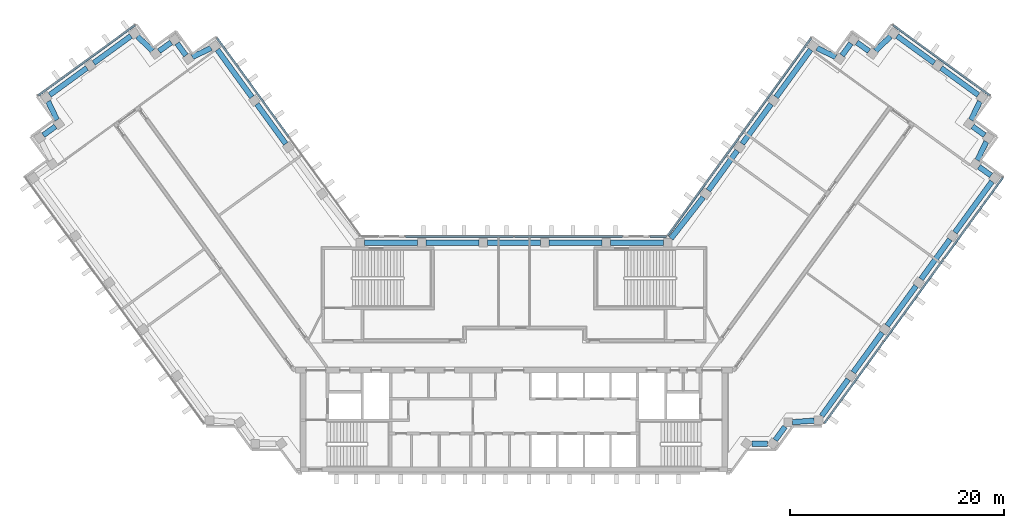
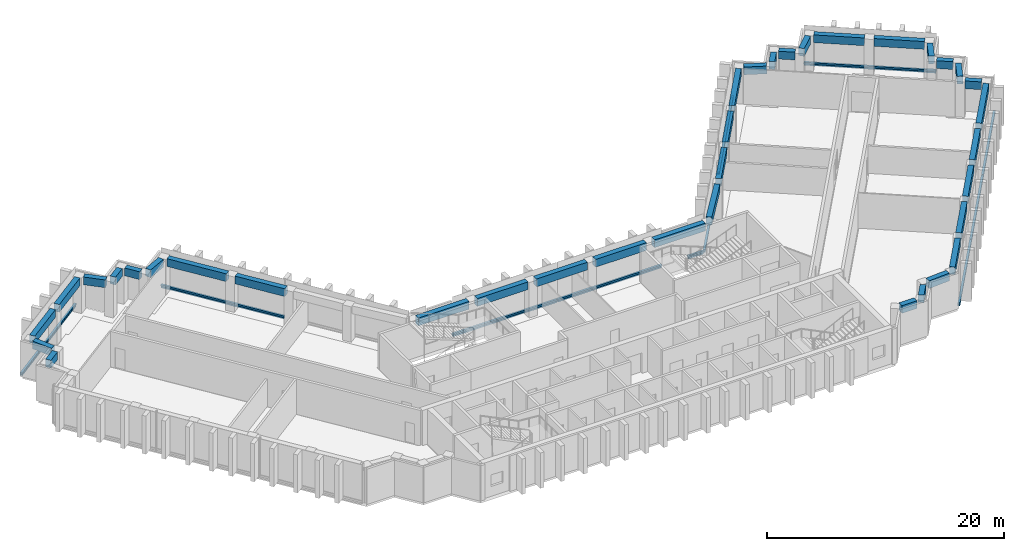
"""IFC4 building model written with IfcOpenShell, lengths in metres."""

from ifc_helpers import new_model, si_unit, direction, frame, origin, origin_2d, place, context, subcontext, project, spatial, rectangle, extrude, material, material_profile, profile_set, type_object, element, aggregate, save


model = new_model("IFC4")

# Units and contexts
model_context = context("Model", 3, precision=1e-05, world=origin(), true_north=direction((0.0, 1.0)))
body_context = subcontext(model_context, "Body", "Model", "MODEL_VIEW")
ifc_project = project(units=[si_unit("LENGTHUNIT", "METRE"), si_unit("AREAUNIT", "SQUARE_METRE"), si_unit("VOLUMEUNIT", "CUBIC_METRE"), si_unit("PLANEANGLEUNIT", "RADIAN"), si_unit("MASSUNIT", "GRAM", prefix="KILO")], contexts=[model_context])

# Site, building, storey
site_placement = place(None, origin())
site = spatial("IfcSite", under=ifc_project, at=site_placement, CompositionType="ELEMENT")
building_placement = place(site_placement, origin())
building = spatial("IfcBuilding", under=site, at=building_placement, Name="Quipu Civic Tower", CompositionType="ELEMENT")
storey_1_placement = place(building_placement, frame((0.0, 0.0, 144.0)))
storey_1 = spatial("IfcBuildingStorey", under=building, at=storey_1_placement, Name="L33", CompositionType="ELEMENT", Elevation=144.0)

# Beams
ifc_material_1 = material(Name="Concrete C50/60", Category="concrete")
ifc_material_profile_1 = material_profile(ifc_material_1, rectangle(XDim=0.5, YDim=0.800048828125, at=origin_2d()), Name="RC500x800")
ifc_profile_set_1 = profile_set([ifc_material_profile_1], Name="Concrete C50/60")
beam_type = type_object("IfcBeamType", Name="Spandrel beam RC 500x800 C50/60", PredefinedType="SPANDREL", material=ifc_profile_set_1)
beam_1_placement = place(storey_1_placement, frame((-21.382568359375, 19.767333984375, 3.25), z_axis=(-0.587736122681, 0.809052686848, 0.0), x_axis=(-0.809052686848, -0.587736122681, 0.0)))
element("IfcBeam", 1, at=beam_1_placement, inside=storey_1, type_object=beam_type, Name="Spandrel beam L33 W-IN-02 to W-IN-03", PredefinedType="SPANDREL", context=body_context, shape_type="SweptSolid", body=[
    extrude(rectangle(XDim=0.5, YDim=0.800048828125, at=origin_2d()), origin(), (0.0, 0.0, 1.0), 4.60009765625),
])
beam_2_placement = place(storey_1_placement, frame((-24.556396484375, 24.13623046875, 3.25), z_axis=(-0.587664254196, 0.809104890815, 0.0), x_axis=(-0.809104890815, -0.587664254196, 0.0)))
element("IfcBeam", 2, at=beam_2_placement, inside=storey_1, type_object=beam_type, Name="Spandrel beam L33 W-IN-03 to T-Wi.0-W34", PredefinedType="SPANDREL", context=body_context, shape_type="SweptSolid", body=[
    extrude(rectangle(XDim=0.5, YDim=0.800048828125, at=origin_2d()), origin(), (0.0, 0.0, 1.0), 5.493896484375),
])
beam_3_placement = place(storey_1_placement, frame((-28.38720703125, 28.72998046875, 3.25), z_axis=(-0.902584802379, -0.430512107279, 0.0), x_axis=(0.430512107279, -0.902584802379, 0.0)))
element("IfcBeam", 3, at=beam_3_placement, inside=storey_1, type_object=beam_type, Name="Spandrel beam L33 T-Wi.0-W34 to T-Wi.1-W34", PredefinedType="SPANDREL", context=body_context, shape_type="SweptSolid", body=[
    extrude(rectangle(XDim=0.5, YDim=0.800048828125, at=origin_2d()), origin(), (0.0, 0.0, 1.0), 1.9326171875),
])
beam_4_placement = place(storey_1_placement, frame((-30.734375, 28.0458984375, 3.25), z_axis=(-0.589342949835, 0.80788296645, 0.0), x_axis=(-0.80788296645, -0.589342949835, 0.0)))
element("IfcBeam", 4, at=beam_4_placement, inside=storey_1, type_object=beam_type, Name="Spandrel beam L33 T-Wi.1-W34 to T-Wi.2-W34", PredefinedType="SPANDREL", context=body_context, shape_type="SweptSolid", body=[
    extrude(rectangle(XDim=0.5, YDim=0.800048828125, at=origin_2d()), origin(), (0.0, 0.0, 1.0), 1.39990234375),
])
beam_5_placement = place(storey_1_placement, frame((-32.118896484375, 29.26513671875, 3.25), z_axis=(-0.80941533633, -0.587236590578, 0.0), x_axis=(0.587236590578, -0.80941533633, 0.0)))
element("IfcBeam", 5, at=beam_5_placement, inside=storey_1, type_object=beam_type, Name="Spandrel beam L33 T-Wi.2-W34 to T-Wi.3-W34", PredefinedType="SPANDREL", context=body_context, shape_type="SweptSolid", body=[
    extrude(rectangle(XDim=0.5, YDim=0.800048828125, at=origin_2d()), origin(), (0.0, 0.0, 1.0), 1.397705078125),
])
beam_6_placement = place(storey_1_placement, frame((-33.868896484375, 28.489501953125, 3.25), z_axis=(-0.72519185421, 0.68854685722, 0.0), x_axis=(-0.68854685722, -0.72519185421, 0.0)))
element("IfcBeam", 6, at=beam_6_placement, inside=storey_1, type_object=beam_type, Name="Spandrel beam L33 T-Wi.3-W34 to T-Wi.4-W34", PredefinedType="SPANDREL", context=body_context, shape_type="SweptSolid", body=[
    extrude(rectangle(XDim=0.5, YDim=0.800048828125, at=origin_2d()), origin(), (0.0, 0.0, 1.0), 1.93212890625),
])
beam_7_placement = place(storey_1_placement, frame((-35.888671875, 29.86474609375, 3.25), z_axis=(-0.808983997561, -0.58783066583, 0.0), x_axis=(0.58783066583, -0.808983997561, 0.0)))
element("IfcBeam", 7, at=beam_7_placement, inside=storey_1, type_object=beam_type, Name="Spandrel beam L33 T-Wi.4-W34 to TIP-W-01-W34", PredefinedType="SPANDREL", context=body_context, shape_type="SweptSolid", body=[
    extrude(rectangle(XDim=0.5, YDim=0.800048828125, at=origin_2d()), origin(), (0.0, 0.0, 1.0), 4.2998046875),
])
beam_8_placement = place(storey_1_placement, frame((-40.014404296875, 26.866943359375, 3.25), z_axis=(-0.808947267178, -0.587881211578, 0.0), x_axis=(0.587881211578, -0.808947267178, 0.0)))
element("IfcBeam", 8, at=beam_8_placement, inside=storey_1, type_object=beam_type, Name="Spandrel beam L33 TIP-W-01-W34 to T-Wo.0-W34", PredefinedType="SPANDREL", context=body_context, shape_type="SweptSolid", body=[
    extrude(rectangle(XDim=0.5, YDim=0.800048828125, at=origin_2d()), origin(), (0.0, 0.0, 1.0), 4.29833984375),
])
beam_9_placement = place(storey_1_placement, frame((-43.64013671875, 23.737548828125, 3.25), z_axis=(0.429889421342, -0.902881545618, 0.0), x_axis=(0.902881545618, 0.429889421342, 0.0)))
element("IfcBeam", 9, at=beam_9_placement, inside=storey_1, type_object=beam_type, Name="Spandrel beam L33 T-Wo.0-W34 to T-Wo.1-W34", PredefinedType="SPANDREL", context=body_context, shape_type="SweptSolid", body=[
    extrude(rectangle(XDim=0.5, YDim=0.800048828125, at=origin_2d()), origin(), (0.0, 0.0, 1.0), 1.931396484375),
])
beam_10_placement = place(storey_1_placement, frame((-42.958740234375, 21.391357421875, 3.25), z_axis=(-0.809467380413, -0.587164849125, 0.0), x_axis=(0.587164849125, -0.809467380413, 0.0)))
element("IfcBeam", 10, at=beam_10_placement, inside=storey_1, type_object=beam_type, Name="Spandrel beam L33 T-Wo.1-W34 to T-Wo.2-W34", PredefinedType="SPANDREL", context=body_context, shape_type="SweptSolid", body=[
    extrude(rectangle(XDim=0.5, YDim=0.800048828125, at=origin_2d()), origin(), (0.0, 0.0, 1.0), 1.399169921875),
])
beam_11_placement = place(storey_1_placement, frame((22.2861328125, -8.31494140625, 3.25), z_axis=(1.0, 0.0, 0.0), x_axis=(0.0, 1.0, 0.0)))
element("IfcBeam", 11, at=beam_11_placement, inside=storey_1, type_object=beam_type, Name="Spandrel beam L33 J-Eo.1 to J-Eo.2", PredefinedType="SPANDREL", context=body_context, shape_type="SweptSolid", body=[
    extrude(rectangle(XDim=0.5, YDim=0.800048828125, at=origin_2d()), origin(), (0.0, 0.0, 1.0), 1.454345703125),
])
beam_12_placement = place(storey_1_placement, frame((24.470458984375, -7.991455078125, 3.25), z_axis=(0.588405601119, 0.808565920981, 0.0), x_axis=(-0.808565920981, 0.588405601119, 0.0)))
element("IfcBeam", 12, at=beam_12_placement, inside=storey_1, type_object=beam_type, Name="Spandrel beam L33 J-Eo.2 to J-Eo.3", PredefinedType="SPANDREL", context=body_context, shape_type="SweptSolid", body=[
    extrude(rectangle(XDim=0.5, YDim=0.800048828125, at=origin_2d()), origin(), (0.0, 0.0, 1.0), 1.55126953125),
])
beam_13_placement = place(storey_1_placement, frame((26.074462890625, -6.307861328125, 3.25), z_axis=(0.997372997143, 0.072436900614, 0.0), x_axis=(-0.072436900614, 0.997372997143, 0.0)))
element("IfcBeam", 13, at=beam_13_placement, inside=storey_1, type_object=beam_type, Name="Spandrel beam L33 J-Eo.3 to J-Eo.4", PredefinedType="SPANDREL", context=body_context, shape_type="SweptSolid", body=[
    extrude(rectangle(XDim=0.5, YDim=0.800048828125, at=origin_2d()), origin(), (0.0, 0.0, 1.0), 2.055908203125),
])
beam_14_placement = place(storey_1_placement, frame((28.815673828125, -5.72998046875, 3.25), z_axis=(0.58776850526, 0.809029161541, 0.0), x_axis=(-0.809029161541, 0.58776850526, 0.0)))
element("IfcBeam", 14, at=beam_14_placement, inside=storey_1, type_object=beam_type, Name="Spandrel beam L33 J-Eo.4 to E-OUT-01", PredefinedType="SPANDREL", context=body_context, shape_type="SweptSolid", body=[
    extrude(rectangle(XDim=0.5, YDim=0.800048828125, at=origin_2d()), origin(), (0.0, 0.0, 1.0), 4.249267578125),
])
beam_15_placement = place(storey_1_placement, frame((31.783447265625, -1.64501953125, 3.25), z_axis=(0.587796098864, 0.809009113768, 0.0), x_axis=(-0.809009113768, 0.587796098864, 0.0)))
element("IfcBeam", 15, at=beam_15_placement, inside=storey_1, type_object=beam_type, Name="Spandrel beam L33 E-OUT-01 to E-OUT-02", PredefinedType="SPANDREL", context=body_context, shape_type="SweptSolid", body=[
    extrude(rectangle(XDim=0.5, YDim=0.800048828125, at=origin_2d()), origin(), (0.0, 0.0, 1.0), 4.60009765625),
])
beam_16_placement = place(storey_1_placement, frame((34.95751953125, 2.7236328125, 3.25), z_axis=(0.58776136044, 0.809034352283, 0.0), x_axis=(-0.809034352283, 0.58776136044, 0.0)))
element("IfcBeam", 16, at=beam_16_placement, inside=storey_1, type_object=beam_type, Name="Spandrel beam L33 E-OUT-02 to E-OUT-03", PredefinedType="SPANDREL", context=body_context, shape_type="SweptSolid", body=[
    extrude(rectangle(XDim=0.5, YDim=0.800048828125, at=origin_2d()), origin(), (0.0, 0.0, 1.0), 4.599853515625),
])
beam_17_placement = place(storey_1_placement, frame((38.13134765625, 7.09228515625, 3.25), z_axis=(0.587770861189, 0.809027449928, 0.0), x_axis=(-0.809027449928, 0.587770861189, 0.0)))
element("IfcBeam", 17, at=beam_17_placement, inside=storey_1, type_object=beam_type, Name="Spandrel beam L33 E-OUT-03 to E-OUT-04", PredefinedType="SPANDREL", context=body_context, shape_type="SweptSolid", body=[
    extrude(rectangle(XDim=0.5, YDim=0.800048828125, at=origin_2d()), origin(), (0.0, 0.0, 1.0), 4.60009765625),
])
beam_18_placement = place(storey_1_placement, frame((41.305419921875, 11.461181640625, 3.25), z_axis=(0.58780026889, 0.809006083965, 0.0), x_axis=(-0.809006083965, 0.58780026889, 0.0)))
element("IfcBeam", 18, at=beam_18_placement, inside=storey_1, type_object=beam_type, Name="Spandrel beam L33 E-OUT-04 to T-Eo.0-E34", PredefinedType="SPANDREL", context=body_context, shape_type="SweptSolid", body=[
    extrude(rectangle(XDim=0.5, YDim=0.800048828125, at=origin_2d()), origin(), (0.0, 0.0, 1.0), 5.902587890625),
])
beam_19_placement = place(storey_1_placement, frame((44.6865234375, 16.79541015625, 3.25), z_axis=(-0.808600329101, 0.588358315805, 0.0), x_axis=(-0.588358315805, -0.808600329101, 0.0)))
element("IfcBeam", 19, at=beam_19_placement, inside=storey_1, type_object=beam_type, Name="Spandrel beam L33 T-Eo.0-E34 to T-Eo.1-E34", PredefinedType="SPANDREL", context=body_context, shape_type="SweptSolid", body=[
    extrude(rectangle(XDim=0.5, YDim=0.800048828125, at=origin_2d()), origin(), (0.0, 0.0, 1.0), 1.400146484375),
])
beam_20_placement = place(storey_1_placement, frame((43.40625, 18.2216796875, 3.25), z_axis=(0.430785642718, 0.902454281406, 0.0), x_axis=(-0.902454281406, 0.430785642718, 0.0)))
element("IfcBeam", 20, at=beam_20_placement, inside=storey_1, type_object=beam_type, Name="Spandrel beam L33 T-Eo.1-E34 to T-Eo.2-E34", PredefinedType="SPANDREL", context=body_context, shape_type="SweptSolid", body=[
    extrude(rectangle(XDim=0.5, YDim=0.800048828125, at=origin_2d()), origin(), (0.0, 0.0, 1.0), 1.934814453125),
])
beam_21_placement = place(storey_1_placement, frame((44.09130859375, 20.56982421875, 3.25), z_axis=(-0.809467380413, 0.587164849125, 0.0), x_axis=(-0.587164849125, -0.809467380413, 0.0)))
element("IfcBeam", 21, at=beam_21_placement, inside=storey_1, type_object=beam_type, Name="Spandrel beam L33 T-Eo.2-E34 to T-Eo.3-E34", PredefinedType="SPANDREL", context=body_context, shape_type="SweptSolid", body=[
    extrude(rectangle(XDim=0.5, YDim=0.800048828125, at=origin_2d()), origin(), (0.0, 0.0, 1.0), 1.399169921875),
])
beam_22_placement = place(storey_1_placement, frame((42.809814453125, 21.99365234375, 3.25), z_axis=(0.429889421342, 0.902881545618, 0.0), x_axis=(-0.902881545618, 0.429889421342, 0.0)))
element("IfcBeam", 22, at=beam_22_placement, inside=storey_1, type_object=beam_type, Name="Spandrel beam L33 T-Eo.3-E34 to T-Eo.4-E34", PredefinedType="SPANDREL", context=body_context, shape_type="SweptSolid", body=[
    extrude(rectangle(XDim=0.5, YDim=0.800048828125, at=origin_2d()), origin(), (0.0, 0.0, 1.0), 1.931396484375),
])
beam_23_placement = place(storey_1_placement, frame((43.491455078125, 24.340087890625, 3.25), z_axis=(-0.808947267178, 0.587881211578, 0.0), x_axis=(-0.587881211578, -0.808947267178, 0.0)))
element("IfcBeam", 23, at=beam_23_placement, inside=storey_1, type_object=beam_type, Name="Spandrel beam L33 T-Eo.4-E34 to TIP-E-01-E34", PredefinedType="SPANDREL", context=body_context, shape_type="SweptSolid", body=[
    extrude(rectangle(XDim=0.5, YDim=0.800048828125, at=origin_2d()), origin(), (0.0, 0.0, 1.0), 4.29833984375),
])
beam_24_placement = place(storey_1_placement, frame((39.3671875, 27.337158203125, 3.25), z_axis=(-0.808983997561, 0.58783066583, 0.0), x_axis=(-0.58783066583, -0.808983997561, 0.0)))
element("IfcBeam", 24, at=beam_24_placement, inside=storey_1, type_object=beam_type, Name="Spandrel beam L33 TIP-E-01-E34 to T-Ei.0-E34", PredefinedType="SPANDREL", context=body_context, shape_type="SweptSolid", body=[
    extrude(rectangle(XDim=0.5, YDim=0.800048828125, at=origin_2d()), origin(), (0.0, 0.0, 1.0), 4.2998046875),
])
beam_25_placement = place(storey_1_placement, frame((35.27001953125, 29.81982421875, 3.25), z_axis=(-0.72519185421, -0.68854685722, 0.0), x_axis=(0.68854685722, -0.72519185421, 0.0)))
element("IfcBeam", 25, at=beam_25_placement, inside=storey_1, type_object=beam_type, Name="Spandrel beam L33 T-Ei.0-E34 to T-Ei.1-E34", PredefinedType="SPANDREL", context=body_context, shape_type="SweptSolid", body=[
    extrude(rectangle(XDim=0.5, YDim=0.800048828125, at=origin_2d()), origin(), (0.0, 0.0, 1.0), 1.93212890625),
])
beam_26_placement = place(storey_1_placement, frame((33.250244140625, 28.4443359375, 3.25), z_axis=(-0.80941533633, 0.587236590578, 0.0), x_axis=(-0.587236590578, -0.80941533633, 0.0)))
element("IfcBeam", 26, at=beam_26_placement, inside=storey_1, type_object=beam_type, Name="Spandrel beam L33 T-Ei.1-E34 to T-Ei.2-E34", PredefinedType="SPANDREL", context=body_context, shape_type="SweptSolid", body=[
    extrude(rectangle(XDim=0.5, YDim=0.800048828125, at=origin_2d()), origin(), (0.0, 0.0, 1.0), 1.397705078125),
])
beam_27_placement = place(storey_1_placement, frame((31.559326171875, 29.1767578125, 3.25), z_axis=(-0.589342949835, -0.80788296645, 0.0), x_axis=(0.80788296645, -0.589342949835, 0.0)))
element("IfcBeam", 27, at=beam_27_placement, inside=storey_1, type_object=beam_type, Name="Spandrel beam L33 T-Ei.2-E34 to T-Ei.3-E34", PredefinedType="SPANDREL", context=body_context, shape_type="SweptSolid", body=[
    extrude(rectangle(XDim=0.5, YDim=0.800048828125, at=origin_2d()), origin(), (0.0, 0.0, 1.0), 1.39990234375),
])
beam_28_placement = place(storey_1_placement, frame((30.131591796875, 27.89794921875, 3.25), z_axis=(-0.902584802379, 0.430512107279, 0.0), x_axis=(-0.430512107279, -0.902584802379, 0.0)))
element("IfcBeam", 28, at=beam_28_placement, inside=storey_1, type_object=beam_type, Name="Spandrel beam L33 T-Ei.3-E34 to T-Ei.4-E34", PredefinedType="SPANDREL", context=body_context, shape_type="SweptSolid", body=[
    extrude(rectangle(XDim=0.5, YDim=0.800048828125, at=origin_2d()), origin(), (0.0, 0.0, 1.0), 1.9326171875),
])
beam_29_placement = place(storey_1_placement, frame((27.784912109375, 28.581298828125, 3.25), z_axis=(-0.587664254196, -0.809104890815, 0.0), x_axis=(0.809104890815, -0.587664254196, 0.0)))
element("IfcBeam", 29, at=beam_29_placement, inside=storey_1, type_object=beam_type, Name="Spandrel beam L33 T-Ei.4-E34 to E-IN-03", PredefinedType="SPANDREL", context=body_context, shape_type="SweptSolid", body=[
    extrude(rectangle(XDim=0.5, YDim=0.800048828125, at=origin_2d()), origin(), (0.0, 0.0, 1.0), 5.493896484375),
])
beam_30_placement = place(storey_1_placement, frame((24.086181640625, 23.489013671875, 3.25), z_axis=(-0.587736122681, -0.809052686848, 0.0), x_axis=(0.809052686848, -0.587736122681, 0.0)))
element("IfcBeam", 30, at=beam_30_placement, inside=storey_1, type_object=beam_type, Name="Spandrel beam L33 E-IN-03 to E-IN-02", PredefinedType="SPANDREL", context=body_context, shape_type="SweptSolid", body=[
    extrude(rectangle(XDim=0.5, YDim=0.800048828125, at=origin_2d()), origin(), (0.0, 0.0, 1.0), 4.60009765625),
])
beam_31_placement = place(storey_1_placement, frame((20.912353515625, 19.1201171875, 3.25), z_axis=(-0.58776136044, -0.809034352283, 0.0), x_axis=(0.809034352283, -0.58776136044, 0.0)))
element("IfcBeam", 31, at=beam_31_placement, inside=storey_1, type_object=beam_type, Name="Spandrel beam L33 E-IN-02 to E-IN-01", PredefinedType="SPANDREL", context=body_context, shape_type="SweptSolid", body=[
    extrude(rectangle(XDim=0.5, YDim=0.800048828125, at=origin_2d()), origin(), (0.0, 0.0, 1.0), 4.599853515625),
])
beam_32_placement = place(storey_1_placement, frame((17.72705078125, 14.759765625, 3.25), z_axis=(-0.616090612932, -0.787675286306, 0.0), x_axis=(0.787675286306, -0.616090612932, 0.0)))
element("IfcBeam", 32, at=beam_32_placement, inside=storey_1, type_object=beam_type, Name="Spandrel beam L33 E-IN-01 to J-Ei.0", PredefinedType="SPANDREL", context=body_context, shape_type="SweptSolid", body=[
    extrude(rectangle(XDim=0.5, YDim=0.800048828125, at=origin_2d()), origin(), (0.0, 0.0, 1.0), 4.900390625),
])
for number, where, z_axis, x_axis, name in (
    (33, (13.9951171875, 10.5, 3.25), (-1.0, 0.0, 0.0), (0.0, -1.0, 0.0), "Spandrel beam L33 J-Ei.0 to FRONT-01"),
    (34, (8.237060546875, 10.5, 3.25), (-1.0, 0.0, 0.0), (0.0, -1.0, 0.0), "Spandrel beam L33 FRONT-01 to FRONT-02"),
    (35, (2.47900390625, 10.5, 3.25), (-1.0, 0.0, 0.0), (0.0, -1.0, 0.0), "Spandrel beam L33 FRONT-02 to FRONT-03"),
    (36, (-3.279052734375, 10.5, 3.25), (-1.0, 0.0, 0.0), (0.0, -1.0, 0.0), "Spandrel beam L33 FRONT-03 to FRONT-04"),
    (37, (-9.037109375, 10.5, 3.25), (-1.0, 0.0, 0.0), (0.0, -1.0, 0.0), "Spandrel beam L33 FRONT-04 to J-Wi.0"),
):
    element("IfcBeam", number, at=place(storey_1_placement, frame(where, z_axis=z_axis, x_axis=x_axis)), inside=storey_1, type_object=beam_type, Name=name, PredefinedType="SPANDREL", context=body_context, shape_type="SweptSolid", body=[
        extrude(rectangle(XDim=0.5, YDim=0.800048828125, at=origin_2d()), origin(), (0.0, 0.0, 1.0), 4.9580078125),
    ])

# Storey
storey_2_placement = place(building_placement, frame((0.0, 0.0, 148.0)))
storey_2 = spatial("IfcBuildingStorey", under=building, at=storey_2_placement, Name="L34", CompositionType="ELEMENT", Elevation=148.0)

# Curtain wall, members
ifc_material_2 = material(Name="Insulated glass unit", Category="glass")
curtain_wall_type_1 = type_object("IfcCurtainWallType", Name="Office curtain wall CW1", PredefinedType="NOTDEFINED", material=ifc_material_2)
curtain_wall_1_placement = place(storey_2_placement, origin())
curtain_wall_1 = element("IfcCurtainWall", 38, at=curtain_wall_1_placement, inside=storey_2, type_object=curtain_wall_type_1, Name="Office curtain wall CW1 L33 run 16", PredefinedType="NOTDEFINED")
ifc_material_3 = material(Name="Anodised aluminium", Category="aluminium")
ifc_material_profile_2 = material_profile(ifc_material_3, rectangle(XDim=0.199951171875, YDim=0.159912109375, at=origin_2d()), Name="RECT 200x160")
ifc_profile_set_2 = profile_set([ifc_material_profile_2], Name="Anodised aluminium")
member_type_1 = type_object("IfcMemberType", Name="Transom CW1", PredefinedType="USERDEFINED", material=ifc_profile_set_2)
member_1_placement = place(storey_1_placement, frame((29.052978515625, -6.424072265625, 0.159912109375), z_axis=(0.587783783239, 0.809018061703, 0.0), x_axis=(-0.809018061703, 0.587783783239, 0.0)))
member_1 = element("IfcMember", 39, at=member_1_placement, inside=storey_1, type_object=member_type_1, Name="CW1 transom 1.1", ObjectType="TRANSOM", PredefinedType="USERDEFINED", context=body_context, shape_type="SweptSolid", body=[
    extrude(rectangle(XDim=0.199951171875, YDim=0.159912109375, at=origin_2d()), origin(), (0.0, 0.0, 1.0), 9.431884765625),
])
member_2_placement = place(storey_1_placement, frame((34.64404296875, 1.271240234375, 0.159912109375), z_axis=(0.587773158676, 0.809025780763, 0.0), x_axis=(-0.809025780763, 0.587773158676, 0.0)))
member_2 = element("IfcMember", 40, at=member_2_placement, inside=storey_1, type_object=member_type_1, Name="CW1 transom 2.1", ObjectType="TRANSOM", PredefinedType="USERDEFINED", context=body_context, shape_type="SweptSolid", body=[
    extrude(rectangle(XDim=0.199951171875, YDim=0.159912109375, at=origin_2d()), origin(), (0.0, 0.0, 1.0), 9.471923828125),
])
member_3_placement = place(storey_1_placement, frame((40.258544921875, 8.9990234375, 0.159912109375), z_axis=(0.587783783239, 0.809018061703, 0.0), x_axis=(-0.809018061703, 0.587783783239, 0.0)))
member_3 = element("IfcMember", 41, at=member_3_placement, inside=storey_1, type_object=member_type_1, Name="CW1 transom 3.1", ObjectType="TRANSOM", PredefinedType="USERDEFINED", context=body_context, shape_type="SweptSolid", body=[
    extrude(rectangle(XDim=0.199951171875, YDim=0.159912109375, at=origin_2d()), origin(), (0.0, 0.0, 1.0), 9.431884765625),
])
aggregate(curtain_wall_1, [member_1, member_2, member_3])

# Curtain wall, member
curtain_wall_2_placement = place(storey_2_placement, origin())
curtain_wall_2 = element("IfcCurtainWall", 42, at=curtain_wall_2_placement, inside=storey_2, type_object=curtain_wall_type_1, Name="Office curtain wall CW1 L33 run 21", PredefinedType="NOTDEFINED")
member_4_placement = place(storey_1_placement, frame((44.590087890625, 24.2841796875, 0.159912109375), z_axis=(-0.809014959561, 0.587788052963, 0.0), x_axis=(-0.587788052963, -0.809014959561, 0.0)))
member_4 = element("IfcMember", 43, at=member_4_placement, inside=storey_1, type_object=member_type_1, Name="CW1 transom 1.1", ObjectType="TRANSOM", PredefinedType="USERDEFINED", context=body_context, shape_type="SweptSolid", body=[
    extrude(rectangle(XDim=0.199951171875, YDim=0.159912109375, at=origin_2d()), origin(), (0.0, 0.0, 1.0), 11.239990234375),
])
aggregate(curtain_wall_2, [member_4])

# Curtain wall, members
curtain_wall_3_placement = place(storey_2_placement, origin())
curtain_wall_3 = element("IfcCurtainWall", 44, at=curtain_wall_3_placement, inside=storey_2, type_object=curtain_wall_type_1, Name="Office curtain wall CW1 L33 run 26", PredefinedType="NOTDEFINED")
member_5_placement = place(storey_1_placement, frame((27.84228515625, 29.678466796875, 0.159912109375), z_axis=(-0.587775682251, -0.809023947331, 0.0), x_axis=(0.809023947331, -0.587775682251, 0.0)))
member_5 = element("IfcMember", 45, at=member_5_placement, inside=storey_1, type_object=member_type_1, Name="CW1 transom 1.1", ObjectType="TRANSOM", PredefinedType="USERDEFINED", context=body_context, shape_type="SweptSolid", body=[
    extrude(rectangle(XDim=0.199951171875, YDim=0.159912109375, at=origin_2d()), origin(), (0.0, 0.0, 1.0), 11.402099609375),
])
member_6_placement = place(storey_1_placement, frame((21.09326171875, 20.38916015625, 0.159912109375), z_axis=(-0.587799878401, -0.809006367683, 0.0), x_axis=(0.809006367683, -0.587799878401, 0.0)))
member_6 = element("IfcMember", 46, at=member_6_placement, inside=storey_1, type_object=member_type_1, Name="CW1 transom 2.1", ObjectType="TRANSOM", PredefinedType="USERDEFINED", context=body_context, shape_type="SweptSolid", body=[
    extrude(rectangle(XDim=0.199951171875, YDim=0.159912109375, at=origin_2d()), origin(), (0.0, 0.0, 1.0), 11.402099609375),
])
aggregate(curtain_wall_3, [member_5, member_6])

# Curtain wall, member
curtain_wall_4_placement = place(storey_2_placement, origin())
curtain_wall_4 = element("IfcCurtainWall", 47, at=curtain_wall_4_placement, inside=storey_2, type_object=curtain_wall_type_1, Name="Office curtain wall CW1 L33 run 27", PredefinedType="NOTDEFINED")
member_7_placement = place(storey_1_placement, frame((14.26416015625, 11.10009765625, 0.159912109375), z_axis=(-1.0, 0.0, 0.0), x_axis=(0.0, -1.0, 0.0)))
member_7 = element("IfcMember", 48, at=member_7_placement, inside=storey_1, type_object=member_type_1, Name="CW1 transom 1.1", ObjectType="TRANSOM", PredefinedType="USERDEFINED", context=body_context, shape_type="SweptSolid", body=[
    extrude(rectangle(XDim=0.199951171875, YDim=0.159912109375, at=origin_2d()), origin(), (0.0, 0.0, 1.0), 1.529052734375),
])
aggregate(curtain_wall_4, [member_7])

# Curtain wall, members
curtain_wall_5_placement = place(storey_2_placement, origin())
curtain_wall_5 = element("IfcCurtainWall", 49, at=curtain_wall_5_placement, inside=storey_2, type_object=curtain_wall_type_1, Name="Office curtain wall CW1 L33 run 29", PredefinedType="NOTDEFINED")
member_8_placement = place(storey_1_placement, frame((10.18359375, 11.10009765625, 0.159912109375), z_axis=(-1.0, 0.0, 0.0), x_axis=(0.0, -1.0, 0.0)))
member_8 = element("IfcMember", 50, at=member_8_placement, inside=storey_1, type_object=member_type_1, Name="CW1 transom 1.1", ObjectType="TRANSOM", PredefinedType="USERDEFINED", context=body_context, shape_type="SweptSolid", body=[
    extrude(rectangle(XDim=0.199951171875, YDim=0.159912109375, at=origin_2d()), origin(), (0.0, 0.0, 1.0), 10.1435546875),
])
member_9_placement = place(storey_1_placement, frame((-0.0400390625, 11.10009765625, 0.159912109375), z_axis=(-1.0, 0.0, 0.0), x_axis=(0.0, -1.0, 0.0)))
member_9 = element("IfcMember", 51, at=member_9_placement, inside=storey_1, type_object=member_type_1, Name="CW1 transom 2.1", ObjectType="TRANSOM", PredefinedType="USERDEFINED", context=body_context, shape_type="SweptSolid", body=[
    extrude(rectangle(XDim=0.199951171875, YDim=0.159912109375, at=origin_2d()), origin(), (0.0, 0.0, 1.0), 10.1435546875),
])
aggregate(curtain_wall_5, [member_8, member_9])

# Curtain wall, member
curtain_wall_6_placement = place(storey_2_placement, origin())
curtain_wall_6 = element("IfcCurtainWall", 52, at=curtain_wall_6_placement, inside=storey_2, type_object=curtain_wall_type_1, Name="Office curtain wall CW1 L33 run 32", PredefinedType="NOTDEFINED")
member_10_placement = place(storey_1_placement, frame((-21.140380859375, 20.453857421875, 0.159912109375), z_axis=(-0.587775682251, 0.809023947331, 0.0), x_axis=(-0.809023947331, -0.587775682251, 0.0)))
member_10 = element("IfcMember", 53, at=member_10_placement, inside=storey_1, type_object=member_type_1, Name="CW1 transom 2.1", ObjectType="TRANSOM", PredefinedType="USERDEFINED", context=body_context, shape_type="SweptSolid", body=[
    extrude(rectangle(XDim=0.199951171875, YDim=0.159912109375, at=origin_2d()), origin(), (0.0, 0.0, 1.0), 11.402099609375),
])
aggregate(curtain_wall_6, [member_10])

curtain_wall_7_placement = place(storey_2_placement, origin())
curtain_wall_7 = element("IfcCurtainWall", 54, at=curtain_wall_7_placement, inside=storey_2, type_object=curtain_wall_type_1, Name="Office curtain wall CW1 L33 run 37", PredefinedType="NOTDEFINED")
member_11_placement = place(storey_1_placement, frame((-35.496826171875, 30.890869140625, 0.159912109375), z_axis=(-0.809014959561, -0.587788052963, 0.0), x_axis=(0.587788052963, -0.809014959561, 0.0)))
member_11 = element("IfcMember", 55, at=member_11_placement, inside=storey_1, type_object=member_type_1, Name="CW1 transom 1.1", ObjectType="TRANSOM", PredefinedType="USERDEFINED", context=body_context, shape_type="SweptSolid", body=[
    extrude(rectangle(XDim=0.199951171875, YDim=0.159912109375, at=origin_2d()), origin(), (0.0, 0.0, 1.0), 11.239990234375),
])
aggregate(curtain_wall_7, [member_11])

# Storey
storey_3_placement = place(building_placement, frame((0.0, 0.0, 139.0)))
storey_3 = spatial("IfcBuildingStorey", under=building, at=storey_3_placement, Name="L32", CompositionType="ELEMENT", Elevation=139.0)

# Curtain wall, member
ifc_material_4 = material(Name="Insulated glass unit", Category="glass")
curtain_wall_type_2 = type_object("IfcCurtainWallType", Name="Sky lobby and refuge curtain wall CW5", PredefinedType="NOTDEFINED", material=ifc_material_4)
curtain_wall_8_placement = place(storey_3_placement, origin())
curtain_wall_8 = element("IfcCurtainWall", 56, at=curtain_wall_8_placement, inside=storey_3, type_object=curtain_wall_type_2, Name="Sky lobby and refuge curtain wall CW5 L32 run 1", PredefinedType="NOTDEFINED")
ifc_material_5 = material(Name="Anodised aluminium", Category="aluminium")
ifc_material_profile_3 = material_profile(ifc_material_5, rectangle(XDim=0.199951171875, YDim=0.14990234375, at=origin_2d()), Name="RECT 200x150")
ifc_profile_set_3 = profile_set([ifc_material_profile_3], Name="Anodised aluminium")
member_type_2 = type_object("IfcMemberType", Name="Transom CW5", PredefinedType="USERDEFINED", material=ifc_profile_set_3)
member_12_placement = place(storey_1_placement, frame((-21.149169921875, 20.466064453125, 0.0), z_axis=(-0.587779229881, 0.809021369878, 0.0), x_axis=(-0.809021369878, -0.587779229881, 0.0)))
member_12 = element("IfcMember", 57, at=member_12_placement, inside=storey_1, type_object=member_type_2, Name="CW5 transom 2.3", ObjectType="TRANSOM", PredefinedType="USERDEFINED", context=body_context, shape_type="SweptSolid", body=[
    extrude(rectangle(XDim=0.199951171875, YDim=0.14990234375, at=origin_2d()), origin(), (0.0, 0.0, 1.0), 11.357177734375),
])
aggregate(curtain_wall_8, [member_12])

curtain_wall_9_placement = place(storey_3_placement, origin())
curtain_wall_9 = element("IfcCurtainWall", 58, at=curtain_wall_9_placement, inside=storey_3, type_object=curtain_wall_type_2, Name="Sky lobby and refuge curtain wall CW5 L32 run 6", PredefinedType="NOTDEFINED")
member_13_placement = place(storey_1_placement, frame((-35.52099609375, 30.873291015625, 0.0), z_axis=(-0.809016450014, -0.58778600154, 0.0), x_axis=(0.58778600154, -0.809016450014, 0.0)))
member_13 = element("IfcMember", 59, at=member_13_placement, inside=storey_1, type_object=member_type_2, Name="CW5 transom 1.3", ObjectType="TRANSOM", PredefinedType="USERDEFINED", context=body_context, shape_type="SweptSolid", body=[
    extrude(rectangle(XDim=0.199951171875, YDim=0.14990234375, at=origin_2d()), origin(), (0.0, 0.0, 1.0), 11.18017578125),
])
aggregate(curtain_wall_9, [member_13])

# Curtain wall, members
curtain_wall_10_placement = place(storey_3_placement, origin())
curtain_wall_10 = element("IfcCurtainWall", 60, at=curtain_wall_10_placement, inside=storey_3, type_object=curtain_wall_type_2, Name="Sky lobby and refuge curtain wall CW5 L32 run 23", PredefinedType="NOTDEFINED")
member_14_placement = place(storey_1_placement, frame((29.070556640625, -6.39990234375, 0.0), z_axis=(0.587788114206, 0.809014915066, 0.0), x_axis=(-0.809014915066, 0.587788114206, 0.0)))
member_14 = element("IfcMember", 61, at=member_14_placement, inside=storey_1, type_object=member_type_2, Name="CW5 transom 1.3", ObjectType="TRANSOM", PredefinedType="USERDEFINED", context=body_context, shape_type="SweptSolid", body=[
    extrude(rectangle(XDim=0.199951171875, YDim=0.14990234375, at=origin_2d()), origin(), (0.0, 0.0, 1.0), 9.386962890625),
])
member_15_placement = place(storey_1_placement, frame((34.65283203125, 1.283447265625, 0.0), z_axis=(0.587784192593, 0.809017764291, 0.0), x_axis=(-0.809017764291, 0.587784192593, 0.0)))
member_15 = element("IfcMember", 62, at=member_15_placement, inside=storey_1, type_object=member_type_2, Name="CW5 transom 2.3", ObjectType="TRANSOM", PredefinedType="USERDEFINED", context=body_context, shape_type="SweptSolid", body=[
    extrude(rectangle(XDim=0.199951171875, YDim=0.14990234375, at=origin_2d()), origin(), (0.0, 0.0, 1.0), 9.44189453125),
])
member_16_placement = place(storey_1_placement, frame((40.267333984375, 9.010986328125, 0.0), z_axis=(0.587788114206, 0.809014915066, 0.0), x_axis=(-0.809014915066, 0.587788114206, 0.0)))
member_16 = element("IfcMember", 63, at=member_16_placement, inside=storey_1, type_object=member_type_2, Name="CW5 transom 3.3", ObjectType="TRANSOM", PredefinedType="USERDEFINED", context=body_context, shape_type="SweptSolid", body=[
    extrude(rectangle(XDim=0.199951171875, YDim=0.14990234375, at=origin_2d()), origin(), (0.0, 0.0, 1.0), 9.386962890625),
])
aggregate(curtain_wall_10, [member_14, member_15, member_16])

# Curtain wall, member
curtain_wall_11_placement = place(storey_3_placement, origin())
curtain_wall_11 = element("IfcCurtainWall", 64, at=curtain_wall_11_placement, inside=storey_3, type_object=curtain_wall_type_2, Name="Sky lobby and refuge curtain wall CW5 L32 run 28", PredefinedType="NOTDEFINED")
member_17_placement = place(storey_1_placement, frame((44.56591796875, 24.3017578125, 0.0), z_axis=(-0.809016450014, 0.58778600154, 0.0), x_axis=(-0.58778600154, -0.809016450014, 0.0)))
member_17 = element("IfcMember", 65, at=member_17_placement, inside=storey_1, type_object=member_type_2, Name="CW5 transom 1.3", ObjectType="TRANSOM", PredefinedType="USERDEFINED", context=body_context, shape_type="SweptSolid", body=[
    extrude(rectangle(XDim=0.199951171875, YDim=0.14990234375, at=origin_2d()), origin(), (0.0, 0.0, 1.0), 11.18017578125),
])
aggregate(curtain_wall_11, [member_17])

# Curtain wall, members
curtain_wall_12_placement = place(storey_3_placement, origin())
curtain_wall_12 = element("IfcCurtainWall", 66, at=curtain_wall_12_placement, inside=storey_3, type_object=curtain_wall_type_2, Name="Sky lobby and refuge curtain wall CW5 L32 run 33", PredefinedType="NOTDEFINED")
member_18_placement = place(storey_1_placement, frame((27.82470703125, 29.654296875, 0.0), z_axis=(-0.587779229881, -0.809021369878, 0.0), x_axis=(0.809021369878, -0.587779229881, 0.0)))
member_18 = element("IfcMember", 67, at=member_18_placement, inside=storey_1, type_object=member_type_2, Name="CW5 transom 1.3", ObjectType="TRANSOM", PredefinedType="USERDEFINED", context=body_context, shape_type="SweptSolid", body=[
    extrude(rectangle(XDim=0.199951171875, YDim=0.14990234375, at=origin_2d()), origin(), (0.0, 0.0, 1.0), 11.357177734375),
])
member_19_placement = place(storey_1_placement, frame((21.08447265625, 20.377197265625, 0.0), z_axis=(-0.587779229881, -0.809021369878, 0.0), x_axis=(0.809021369878, -0.587779229881, 0.0)))
member_19 = element("IfcMember", 68, at=member_19_placement, inside=storey_1, type_object=member_type_2, Name="CW5 transom 2.3", ObjectType="TRANSOM", PredefinedType="USERDEFINED", context=body_context, shape_type="SweptSolid", body=[
    extrude(rectangle(XDim=0.199951171875, YDim=0.14990234375, at=origin_2d()), origin(), (0.0, 0.0, 1.0), 11.357177734375),
])
aggregate(curtain_wall_12, [member_18, member_19])

# Curtain wall, member
curtain_wall_13_placement = place(storey_3_placement, origin())
curtain_wall_13 = element("IfcCurtainWall", 69, at=curtain_wall_13_placement, inside=storey_3, type_object=curtain_wall_type_2, Name="Sky lobby and refuge curtain wall CW5 L32 run 34", PredefinedType="NOTDEFINED")
member_20_placement = place(storey_1_placement, frame((14.234130859375, 11.10009765625, 0.0), z_axis=(-1.0, 0.0, 0.0), x_axis=(0.0, -1.0, 0.0)))
member_20 = element("IfcMember", 70, at=member_20_placement, inside=storey_1, type_object=member_type_2, Name="CW5 transom 1.3", ObjectType="TRANSOM", PredefinedType="USERDEFINED", context=body_context, shape_type="SweptSolid", body=[
    extrude(rectangle(XDim=0.199951171875, YDim=0.14990234375, at=origin_2d()), origin(), (0.0, 0.0, 1.0), 1.46923828125),
])
aggregate(curtain_wall_13, [member_20])

# Curtain wall, members
curtain_wall_14_placement = place(storey_3_placement, origin())
curtain_wall_14 = element("IfcCurtainWall", 71, at=curtain_wall_14_placement, inside=storey_3, type_object=curtain_wall_type_2, Name="Sky lobby and refuge curtain wall CW5 L32 run 36", PredefinedType="NOTDEFINED")
member_21_placement = place(storey_1_placement, frame((10.153564453125, 11.10009765625, 0.0), z_axis=(-1.0, 0.0, 0.0), x_axis=(0.0, -1.0, 0.0)))
member_21 = element("IfcMember", 72, at=member_21_placement, inside=storey_1, type_object=member_type_2, Name="CW5 transom 1.3", ObjectType="TRANSOM", PredefinedType="USERDEFINED", context=body_context, shape_type="SweptSolid", body=[
    extrude(rectangle(XDim=0.199951171875, YDim=0.14990234375, at=origin_2d()), origin(), (0.0, 0.0, 1.0), 10.0986328125),
])
member_22_placement = place(storey_1_placement, frame((-0.054931640625, 11.10009765625, 0.0), z_axis=(-1.0, 0.0, 0.0), x_axis=(0.0, -1.0, 0.0)))
member_22 = element("IfcMember", 73, at=member_22_placement, inside=storey_1, type_object=member_type_2, Name="CW5 transom 2.3", ObjectType="TRANSOM", PredefinedType="USERDEFINED", context=body_context, shape_type="SweptSolid", body=[
    extrude(rectangle(XDim=0.199951171875, YDim=0.14990234375, at=origin_2d()), origin(), (0.0, 0.0, 1.0), 10.0986328125),
])
aggregate(curtain_wall_14, [member_21, member_22])

save(model, "model.ifc")
